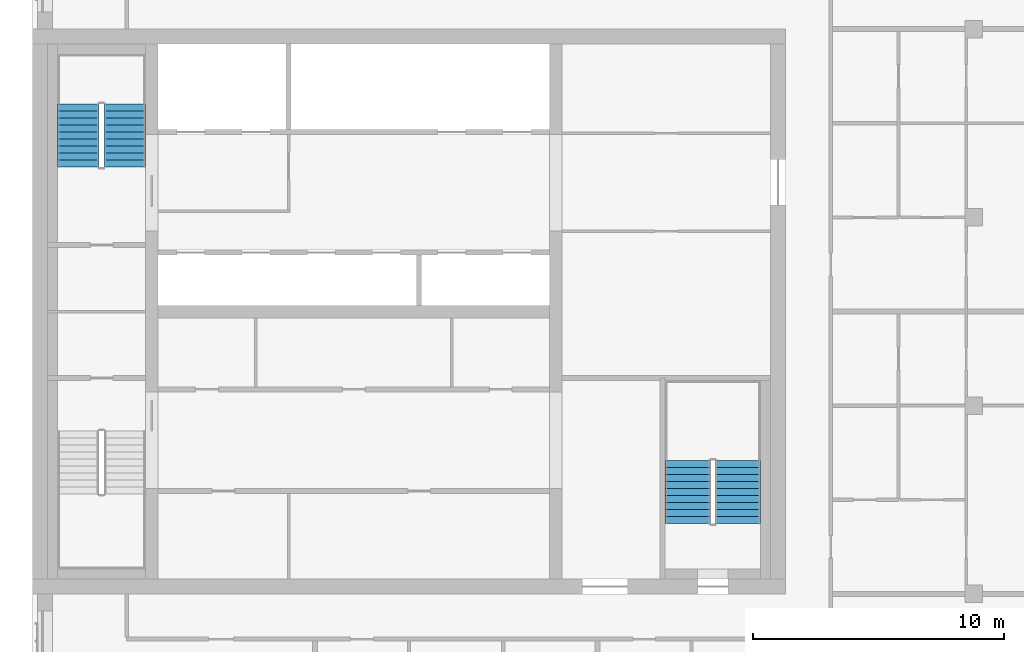
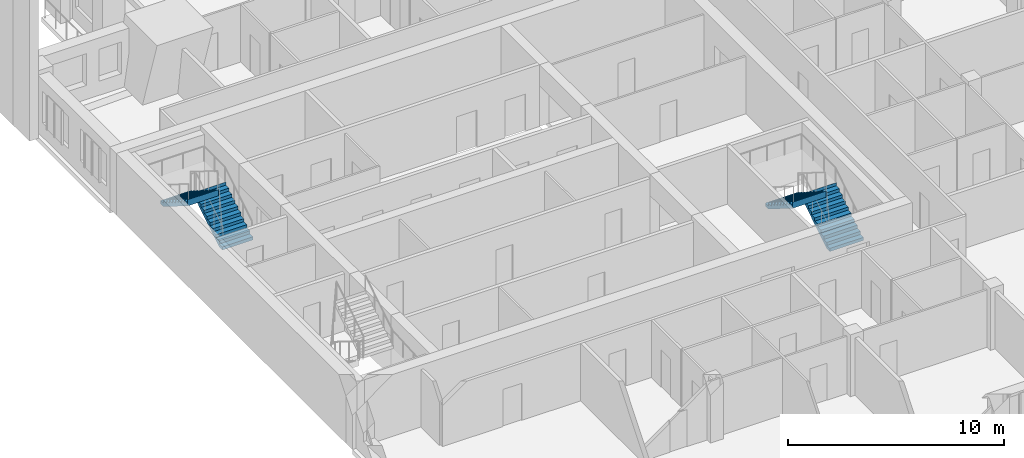
# One storey, part 9 of 12: 4 stair flights, 2 elements without a shape of their own.
"""IFC4 building model written with IfcOpenShell, lengths in metres."""

from ifc_helpers import new_model, si_unit, direction, frame, origin, place, context, subcontext, project, spatial, polyline, outline, extrude, material, type_object, element, aggregate, save


model = new_model("IFC4")

# Units and contexts
model_context = context("Model", 3, precision=1e-05, world=origin(), true_north=direction((0.0, 1.0)))
body_context = subcontext(model_context, "Body", "Model", "MODEL_VIEW")
ifc_project = project(units=[si_unit("LENGTHUNIT", "METRE"), si_unit("AREAUNIT", "SQUARE_METRE"), si_unit("VOLUMEUNIT", "CUBIC_METRE"), si_unit("PLANEANGLEUNIT", "RADIAN"), si_unit("MASSUNIT", "GRAM", prefix="KILO")], contexts=[model_context])

# Site, building, storey
site_placement = place(None, origin())
site = spatial("IfcSite", under=ifc_project, at=site_placement, CompositionType="ELEMENT")
building_placement = place(site_placement, origin())
building = spatial("IfcBuilding", under=site, at=building_placement, Name="Tamorin Gate", CompositionType="ELEMENT")
storey_placement = place(building_placement, frame((0.0, 0.0, 266.199951171875)))
storey = spatial("IfcBuildingStorey", under=building, at=storey_placement, Name="L66", CompositionType="ELEMENT", Elevation=266.199951171875)

# Stair, stair flights
ifc_material = material(Name="Concrete C40/50", Category="concrete")
stair_type = type_object("IfcStairType", Name="Exit stair", PredefinedType="HALF_TURN_STAIR", material=ifc_material)
stair_1_placement = place(storey_placement, origin())
stair_1 = element("IfcStair", 1, at=stair_1_placement, inside=storey, type_object=stair_type, Name="L66 stair ST2", PredefinedType="HALF_TURN_STAIR")
stair_flight_type = type_object("IfcStairFlightType", Name="Exit stair flight", PredefinedType="STRAIGHT", material=ifc_material)
stair_flight_1_placement = place(storey_placement, frame((33.675048828125, 77.0, 0.0), z_axis=(0.0, 0.0, 1.0), x_axis=(0.0, 1.0, 0.0)))
stair_flight_1 = element("IfcStairFlight", 2, at=stair_flight_1_placement, type_object=stair_flight_type, Name="ST2 flight 1", NumberOfRisers=10, NumberOfTreads=9, PredefinedType="STRAIGHT", RiserHeight=0.175, TreadLength=0.28, context=body_context, shape_type="SweptSolid", body=[
    extrude(outline(polyline([(-0.00048828125, 0.0), (-0.00048828125, 0.001708984375), (-0.00048828125, 0.00341796875), (-0.00048828125, 0.005126953125), (-0.00048828125, 0.0068359375), (-0.00048828125, 0.008544921875), (-0.00048828125, 0.010498046875), (-0.00048828125, 0.01220703125), (-0.00048828125, 0.013916015625), (-0.00048828125, 0.015625), (-0.00048828125, 0.017333984375), (-0.00048828125, 0.01904296875), (-0.00048828125, 0.020751953125), (-0.00048828125, 0.0224609375), (-0.00048828125, 0.024169921875), (-0.00048828125, 0.02587890625), (-0.00048828125, 0.02783203125), (-0.00048828125, 0.029541015625), (-0.00048828125, 0.03125), (-0.00048828125, 0.032958984375), (-0.00048828125, 0.03466796875), (-0.00048828125, 0.036376953125), (-0.00048828125, 0.0380859375), (-0.00048828125, 0.039794921875), (-0.00048828125, 0.04150390625), (-0.00048828125, 0.043212890625), (-0.00048828125, 0.045166015625), (-0.00048828125, 0.046875), (-0.00048828125, 0.048583984375), (-0.00048828125, 0.05029296875), (-0.00048828125, 0.052001953125), (-0.00048828125, 0.0537109375), (-0.00048828125, 0.055419921875), (-0.00048828125, 0.05712890625), (-0.00048828125, 0.058837890625), (-0.00048828125, 0.060546875), (-0.00048828125, 0.062255859375), (-0.00048828125, 0.064208984375), (-0.00048828125, 0.06591796875), (-0.00048828125, 0.067626953125), (-0.00048828125, 0.0693359375), (-0.00048828125, 0.071044921875), (-0.00048828125, 0.07275390625), (-0.00048828125, 0.074462890625), (-0.00048828125, 0.076171875), (-0.00048828125, 0.077880859375), (-0.00048828125, 0.07958984375), (-0.00048828125, 0.08154296875), (-0.00048828125, 0.083251953125), (-0.00048828125, 0.0849609375), (-0.00048828125, 0.086669921875), (-0.00048828125, 0.08837890625), (-0.00048828125, 0.090087890625), (-0.00048828125, 0.091796875), (-0.00048828125, 0.093505859375), (-0.00048828125, 0.09521484375), (-0.00048828125, 0.096923828125), (-0.00048828125, 0.098876953125), (-0.00048828125, 0.1005859375), (-0.00048828125, 0.102294921875), (-0.00048828125, 0.10400390625), (-0.00048828125, 0.105712890625), (-0.00048828125, 0.107421875), (-0.00048828125, 0.109130859375), (-0.00048828125, 0.11083984375), (-0.00048828125, 0.112548828125), (-0.00048828125, 0.1142578125), (-0.00048828125, 0.1162109375), (-0.00048828125, 0.117919921875), (-0.00048828125, 0.11962890625), (-0.00048828125, 0.121337890625), (-0.00048828125, 0.123046875), (-0.00048828125, 0.124755859375), (-0.00048828125, 0.12646484375), (-0.00048828125, 0.128173828125), (-0.00048828125, 0.1298828125), (-0.00048828125, 0.131591796875), (-0.00048828125, 0.13330078125), (-0.00048828125, 0.13525390625), (-0.00048828125, 0.136962890625), (-0.00048828125, 0.138671875), (-0.00048828125, 0.140380859375), (-0.00048828125, 0.14208984375), (-0.00048828125, 0.143798828125), (-0.00048828125, 0.1455078125), (-0.00048828125, 0.147216796875), (-0.00048828125, 0.14892578125), (-0.00048828125, 0.150634765625), (-0.00048828125, 0.152587890625), (-0.00048828125, 0.154296875), (-0.00048828125, 0.156005859375), (-0.00048828125, 0.15771484375), (-0.00048828125, 0.159423828125), (-0.00048828125, 0.1611328125), (-0.00048828125, 0.162841796875), (-0.00048828125, 0.16455078125), (-0.00048828125, 0.166259765625), (-0.00048828125, 0.16796875), (-0.00048828125, 0.169921875), (-0.00048828125, 0.171630859375), (-0.00048828125, 0.17333984375), (-0.00048828125, 0.175048828125), (0.280029296875, 0.175048828125), (0.280029296875, 0.35009765625), (0.56005859375, 0.35009765625), (0.56005859375, 0.52490234375), (0.840087890625, 0.52490234375), (0.840087890625, 0.699951171875), (1.1201171875, 0.699951171875), (1.1201171875, 0.875), (1.39990234375, 0.875), (1.39990234375, 1.050048828125), (1.679931640625, 1.050048828125), (1.679931640625, 1.22509765625), (1.9599609375, 1.22509765625), (1.9599609375, 1.39990234375), (2.239990234375, 1.39990234375), (2.239990234375, 1.574951171875), (2.52001953125, 1.574951171875), (2.52001953125, 1.75), (2.5205078125, 1.75), (2.5205078125, 1.74658203125), (2.5205078125, 1.742919921875), (2.5205078125, 1.739501953125), (2.5205078125, 1.736083984375), (2.5205078125, 1.732666015625), (2.5205078125, 1.72900390625), (2.5205078125, 1.7255859375), (2.5205078125, 1.72216796875), (2.5205078125, 1.71875), (2.5205078125, 1.715087890625), (2.5205078125, 1.711669921875), (2.5205078125, 1.708251953125), (2.5205078125, 1.704833984375), (2.5205078125, 1.701171875), (2.5205078125, 1.69775390625), (2.5205078125, 1.6943359375), (2.5205078125, 1.690673828125), (2.5205078125, 1.687255859375), (2.5205078125, 1.683837890625), (2.5205078125, 1.680419921875), (2.5205078125, 1.6767578125), (2.5205078125, 1.67333984375), (2.5205078125, 1.669921875), (2.5205078125, 1.66650390625), (2.5205078125, 1.662841796875), (2.5205078125, 1.659423828125), (2.5205078125, 1.656005859375), (2.5205078125, 1.652587890625), (2.5205078125, 1.64892578125), (2.5205078125, 1.6455078125), (2.5205078125, 1.64208984375), (2.5205078125, 1.638427734375), (2.5205078125, 1.635009765625), (2.5205078125, 1.631591796875), (2.5205078125, 1.628173828125), (2.5205078125, 1.62451171875), (2.5205078125, 1.62109375), (2.5205078125, 1.61767578125), (2.5205078125, 1.6142578125), (2.5205078125, 1.610595703125), (2.5205078125, 1.607177734375), (2.5205078125, 1.603759765625), (2.5205078125, 1.600341796875), (2.5205078125, 1.5966796875), (2.5205078125, 1.59326171875), (2.5205078125, 1.58984375), (2.5205078125, 1.58642578125), (2.5205078125, 1.582763671875), (2.5205078125, 1.579345703125), (2.5205078125, 1.575927734375), (2.5205078125, 1.572265625), (2.5205078125, 1.56884765625), (2.5205078125, 1.5654296875), (2.5205078125, 1.56201171875), (2.5205078125, 1.558349609375), (2.5205078125, 1.554931640625), (2.5205078125, 1.551513671875), (2.5205078125, 1.548095703125), (2.5205078125, 1.54443359375), (2.5205078125, 1.541015625), (2.5205078125, 1.53759765625), (2.5205078125, 1.5341796875), (2.5205078125, 1.530517578125), (2.5205078125, 1.527099609375), (2.5205078125, 1.523681640625), (2.5205078125, 1.52001953125), (2.5205078125, 1.5166015625), (2.5205078125, 1.51318359375), (2.5205078125, 1.509765625), (2.5205078125, 1.506103515625), (2.5205078125, 1.502685546875), (2.5205078125, 1.499267578125), (2.5205078125, 1.495849609375), (2.5205078125, 1.4921875), (2.5205078125, 1.48876953125), (2.5205078125, 1.4853515625), (2.5205078125, 1.48193359375), (2.5205078125, 1.478271484375), (2.5205078125, 1.474853515625), (2.5205078125, 1.471435546875), (2.5205078125, 1.4677734375), (2.5205078125, 1.46435546875), (2.5205078125, 1.4609375), (2.5205078125, 1.45751953125), (2.5205078125, 1.453857421875), (2.5205078125, 1.450439453125), (2.5205078125, 1.447021484375), (2.5205078125, 1.443603515625), (2.5205078125, 1.43994140625), (2.5205078125, 1.4365234375), (2.5205078125, 1.43310546875), (2.5205078125, 1.4296875), (2.5205078125, 1.426025390625), (2.5205078125, 1.422607421875), (2.5205078125, 1.419189453125), (2.5205078125, 1.41552734375), (2.5205078125, 1.412109375), (2.5205078125, 1.40869140625), (2.5205078125, 1.4052734375), (2.5205078125, 1.401611328125), (2.5205078125, 1.398193359375), (2.52001953125, 1.398193359375), (0.28271484375, 0.0), (-0.00048828125, 0.0)])), frame((0.0, 0.824951171875, 0.0), z_axis=(0.0, -1.0, 0.0), x_axis=(1.0, 0.0, 0.0)), (0.0, 0.0, 1.0), 1.64990234375),
])
stair_flight_2_placement = place(storey_placement, frame((31.824951171875, 79.52001953125, 1.75), z_axis=(0.0, 0.0, 1.0), x_axis=(0.0, -1.0, 0.0)))
stair_flight_2 = element("IfcStairFlight", 3, at=stair_flight_2_placement, type_object=stair_flight_type, Name="ST2 flight 2", NumberOfRisers=10, NumberOfTreads=9, PredefinedType="STRAIGHT", RiserHeight=0.175, TreadLength=0.28, context=body_context, shape_type="SweptSolid", body=[
    extrude(outline(polyline([(-0.00048828125, 0.0), (-0.00048828125, 0.001708984375), (-0.00048828125, 0.00341796875), (-0.00048828125, 0.005126953125), (-0.00048828125, 0.0068359375), (-0.00048828125, 0.008544921875), (-0.00048828125, 0.010498046875), (-0.00048828125, 0.01220703125), (-0.00048828125, 0.013916015625), (-0.00048828125, 0.015625), (-0.00048828125, 0.017333984375), (-0.00048828125, 0.01904296875), (-0.00048828125, 0.020751953125), (-0.00048828125, 0.0224609375), (-0.00048828125, 0.024169921875), (-0.00048828125, 0.02587890625), (-0.00048828125, 0.02783203125), (-0.00048828125, 0.029541015625), (-0.00048828125, 0.03125), (-0.00048828125, 0.032958984375), (-0.00048828125, 0.03466796875), (-0.00048828125, 0.036376953125), (-0.00048828125, 0.0380859375), (-0.00048828125, 0.039794921875), (-0.00048828125, 0.04150390625), (-0.00048828125, 0.043212890625), (-0.00048828125, 0.045166015625), (-0.00048828125, 0.046875), (-0.00048828125, 0.048583984375), (-0.00048828125, 0.05029296875), (-0.00048828125, 0.052001953125), (-0.00048828125, 0.0537109375), (-0.00048828125, 0.055419921875), (-0.00048828125, 0.05712890625), (-0.00048828125, 0.058837890625), (-0.00048828125, 0.060546875), (-0.00048828125, 0.062255859375), (-0.00048828125, 0.064208984375), (-0.00048828125, 0.06591796875), (-0.00048828125, 0.067626953125), (-0.00048828125, 0.0693359375), (-0.00048828125, 0.071044921875), (-0.00048828125, 0.07275390625), (-0.00048828125, 0.074462890625), (-0.00048828125, 0.076171875), (-0.00048828125, 0.077880859375), (-0.00048828125, 0.07958984375), (-0.00048828125, 0.08154296875), (-0.00048828125, 0.083251953125), (-0.00048828125, 0.0849609375), (-0.00048828125, 0.086669921875), (-0.00048828125, 0.08837890625), (-0.00048828125, 0.090087890625), (-0.00048828125, 0.091796875), (-0.00048828125, 0.093505859375), (-0.00048828125, 0.09521484375), (-0.00048828125, 0.096923828125), (-0.00048828125, 0.098876953125), (-0.00048828125, 0.1005859375), (-0.00048828125, 0.102294921875), (-0.00048828125, 0.10400390625), (-0.00048828125, 0.105712890625), (-0.00048828125, 0.107421875), (-0.00048828125, 0.109130859375), (-0.00048828125, 0.11083984375), (-0.00048828125, 0.112548828125), (-0.00048828125, 0.1142578125), (-0.00048828125, 0.1162109375), (-0.00048828125, 0.117919921875), (-0.00048828125, 0.11962890625), (-0.00048828125, 0.121337890625), (-0.00048828125, 0.123046875), (-0.00048828125, 0.124755859375), (-0.00048828125, 0.12646484375), (-0.00048828125, 0.128173828125), (-0.00048828125, 0.1298828125), (-0.00048828125, 0.131591796875), (-0.00048828125, 0.13330078125), (-0.00048828125, 0.13525390625), (-0.00048828125, 0.136962890625), (-0.00048828125, 0.138671875), (-0.00048828125, 0.140380859375), (-0.00048828125, 0.14208984375), (-0.00048828125, 0.143798828125), (-0.00048828125, 0.1455078125), (-0.00048828125, 0.147216796875), (-0.00048828125, 0.14892578125), (-0.00048828125, 0.150634765625), (-0.00048828125, 0.152587890625), (-0.00048828125, 0.154296875), (-0.00048828125, 0.156005859375), (-0.00048828125, 0.15771484375), (-0.00048828125, 0.159423828125), (-0.00048828125, 0.1611328125), (-0.00048828125, 0.162841796875), (-0.00048828125, 0.16455078125), (-0.00048828125, 0.166259765625), (-0.00048828125, 0.16796875), (-0.00048828125, 0.169921875), (-0.00048828125, 0.171630859375), (-0.00048828125, 0.17333984375), (-0.00048828125, 0.175048828125), (0.280029296875, 0.175048828125), (0.280029296875, 0.35009765625), (0.56005859375, 0.35009765625), (0.56005859375, 0.52490234375), (0.840087890625, 0.52490234375), (0.840087890625, 0.699951171875), (1.1201171875, 0.699951171875), (1.1201171875, 0.875), (1.39990234375, 0.875), (1.39990234375, 1.050048828125), (1.679931640625, 1.050048828125), (1.679931640625, 1.22509765625), (1.9599609375, 1.22509765625), (1.9599609375, 1.39990234375), (2.239990234375, 1.39990234375), (2.239990234375, 1.574951171875), (2.52001953125, 1.574951171875), (2.52001953125, 1.75), (2.5205078125, 1.75), (2.5205078125, 1.74658203125), (2.5205078125, 1.742919921875), (2.5205078125, 1.739501953125), (2.5205078125, 1.736083984375), (2.5205078125, 1.732666015625), (2.5205078125, 1.72900390625), (2.5205078125, 1.7255859375), (2.5205078125, 1.72216796875), (2.5205078125, 1.71875), (2.5205078125, 1.715087890625), (2.5205078125, 1.711669921875), (2.5205078125, 1.708251953125), (2.5205078125, 1.704833984375), (2.5205078125, 1.701171875), (2.5205078125, 1.69775390625), (2.5205078125, 1.6943359375), (2.5205078125, 1.690673828125), (2.5205078125, 1.687255859375), (2.5205078125, 1.683837890625), (2.5205078125, 1.680419921875), (2.5205078125, 1.6767578125), (2.5205078125, 1.67333984375), (2.5205078125, 1.669921875), (2.5205078125, 1.66650390625), (2.5205078125, 1.662841796875), (2.5205078125, 1.659423828125), (2.5205078125, 1.656005859375), (2.5205078125, 1.652587890625), (2.5205078125, 1.64892578125), (2.5205078125, 1.6455078125), (2.5205078125, 1.64208984375), (2.5205078125, 1.638427734375), (2.5205078125, 1.635009765625), (2.5205078125, 1.631591796875), (2.5205078125, 1.628173828125), (2.5205078125, 1.62451171875), (2.5205078125, 1.62109375), (2.5205078125, 1.61767578125), (2.5205078125, 1.6142578125), (2.5205078125, 1.610595703125), (2.5205078125, 1.607177734375), (2.5205078125, 1.603759765625), (2.5205078125, 1.600341796875), (2.5205078125, 1.5966796875), (2.5205078125, 1.59326171875), (2.5205078125, 1.58984375), (2.5205078125, 1.58642578125), (2.5205078125, 1.582763671875), (2.5205078125, 1.579345703125), (2.5205078125, 1.575927734375), (2.5205078125, 1.572265625), (2.5205078125, 1.56884765625), (2.5205078125, 1.5654296875), (2.5205078125, 1.56201171875), (2.5205078125, 1.558349609375), (2.5205078125, 1.554931640625), (2.5205078125, 1.551513671875), (2.5205078125, 1.548095703125), (2.5205078125, 1.54443359375), (2.5205078125, 1.541015625), (2.5205078125, 1.53759765625), (2.5205078125, 1.5341796875), (2.5205078125, 1.530517578125), (2.5205078125, 1.527099609375), (2.5205078125, 1.523681640625), (2.5205078125, 1.52001953125), (2.5205078125, 1.5166015625), (2.5205078125, 1.51318359375), (2.5205078125, 1.509765625), (2.5205078125, 1.506103515625), (2.5205078125, 1.502685546875), (2.5205078125, 1.499267578125), (2.5205078125, 1.495849609375), (2.5205078125, 1.4921875), (2.5205078125, 1.48876953125), (2.5205078125, 1.4853515625), (2.5205078125, 1.48193359375), (2.5205078125, 1.478271484375), (2.5205078125, 1.474853515625), (2.5205078125, 1.471435546875), (2.5205078125, 1.4677734375), (2.5205078125, 1.46435546875), (2.5205078125, 1.4609375), (2.5205078125, 1.45751953125), (2.5205078125, 1.453857421875), (2.5205078125, 1.450439453125), (2.5205078125, 1.447021484375), (2.5205078125, 1.443603515625), (2.5205078125, 1.43994140625), (2.5205078125, 1.4365234375), (2.5205078125, 1.43310546875), (2.5205078125, 1.4296875), (2.5205078125, 1.426025390625), (2.5205078125, 1.422607421875), (2.5205078125, 1.419189453125), (2.5205078125, 1.41552734375), (2.5205078125, 1.412109375), (2.5205078125, 1.40869140625), (2.5205078125, 1.4052734375), (2.5205078125, 1.401611328125), (2.5205078125, 1.398193359375), (2.52001953125, 1.398193359375), (0.28271484375, 0.0), (-0.00048828125, 0.0)])), frame((0.0, 0.824951171875, 0.0), z_axis=(0.0, -1.0, 0.0), x_axis=(1.0, 0.0, 0.0)), (0.0, 0.0, 1.0), 1.64990234375),
])
aggregate(stair_1, [stair_flight_1, stair_flight_2])

stair_2_placement = place(storey_placement, origin())
stair_2 = element("IfcStair", 4, at=stair_2_placement, inside=storey, type_object=stair_type, Name="L66 stair ST3", PredefinedType="HALF_TURN_STAIR")
stair_flight_3_placement = place(storey_placement, frame((58.10009765625, 62.800048828125, 0.0), z_axis=(0.0, 0.0, 1.0), x_axis=(0.0, 1.0, 0.0)))
stair_flight_3 = element("IfcStairFlight", 5, at=stair_flight_3_placement, type_object=stair_flight_type, Name="ST3 flight 1", NumberOfRisers=10, NumberOfTreads=9, PredefinedType="STRAIGHT", RiserHeight=0.175, TreadLength=0.28, context=body_context, shape_type="SweptSolid", body=[
    extrude(outline(polyline([(-0.00048828125, 0.0), (-0.00048828125, 0.001708984375), (-0.00048828125, 0.00341796875), (-0.00048828125, 0.005126953125), (-0.00048828125, 0.0068359375), (-0.00048828125, 0.008544921875), (-0.00048828125, 0.010498046875), (-0.00048828125, 0.01220703125), (-0.00048828125, 0.013916015625), (-0.00048828125, 0.015625), (-0.00048828125, 0.017333984375), (-0.00048828125, 0.01904296875), (-0.00048828125, 0.020751953125), (-0.00048828125, 0.0224609375), (-0.00048828125, 0.024169921875), (-0.00048828125, 0.02587890625), (-0.00048828125, 0.02783203125), (-0.00048828125, 0.029541015625), (-0.00048828125, 0.03125), (-0.00048828125, 0.032958984375), (-0.00048828125, 0.03466796875), (-0.00048828125, 0.036376953125), (-0.00048828125, 0.0380859375), (-0.00048828125, 0.039794921875), (-0.00048828125, 0.04150390625), (-0.00048828125, 0.043212890625), (-0.00048828125, 0.045166015625), (-0.00048828125, 0.046875), (-0.00048828125, 0.048583984375), (-0.00048828125, 0.05029296875), (-0.00048828125, 0.052001953125), (-0.00048828125, 0.0537109375), (-0.00048828125, 0.055419921875), (-0.00048828125, 0.05712890625), (-0.00048828125, 0.058837890625), (-0.00048828125, 0.060546875), (-0.00048828125, 0.062255859375), (-0.00048828125, 0.064208984375), (-0.00048828125, 0.06591796875), (-0.00048828125, 0.067626953125), (-0.00048828125, 0.0693359375), (-0.00048828125, 0.071044921875), (-0.00048828125, 0.07275390625), (-0.00048828125, 0.074462890625), (-0.00048828125, 0.076171875), (-0.00048828125, 0.077880859375), (-0.00048828125, 0.07958984375), (-0.00048828125, 0.08154296875), (-0.00048828125, 0.083251953125), (-0.00048828125, 0.0849609375), (-0.00048828125, 0.086669921875), (-0.00048828125, 0.08837890625), (-0.00048828125, 0.090087890625), (-0.00048828125, 0.091796875), (-0.00048828125, 0.093505859375), (-0.00048828125, 0.09521484375), (-0.00048828125, 0.096923828125), (-0.00048828125, 0.098876953125), (-0.00048828125, 0.1005859375), (-0.00048828125, 0.102294921875), (-0.00048828125, 0.10400390625), (-0.00048828125, 0.105712890625), (-0.00048828125, 0.107421875), (-0.00048828125, 0.109130859375), (-0.00048828125, 0.11083984375), (-0.00048828125, 0.112548828125), (-0.00048828125, 0.1142578125), (-0.00048828125, 0.1162109375), (-0.00048828125, 0.117919921875), (-0.00048828125, 0.11962890625), (-0.00048828125, 0.121337890625), (-0.00048828125, 0.123046875), (-0.00048828125, 0.124755859375), (-0.00048828125, 0.12646484375), (-0.00048828125, 0.128173828125), (-0.00048828125, 0.1298828125), (-0.00048828125, 0.131591796875), (-0.00048828125, 0.13330078125), (-0.00048828125, 0.13525390625), (-0.00048828125, 0.136962890625), (-0.00048828125, 0.138671875), (-0.00048828125, 0.140380859375), (-0.00048828125, 0.14208984375), (-0.00048828125, 0.143798828125), (-0.00048828125, 0.1455078125), (-0.00048828125, 0.147216796875), (-0.00048828125, 0.14892578125), (-0.00048828125, 0.150634765625), (-0.00048828125, 0.152587890625), (-0.00048828125, 0.154296875), (-0.00048828125, 0.156005859375), (-0.00048828125, 0.15771484375), (-0.00048828125, 0.159423828125), (-0.00048828125, 0.1611328125), (-0.00048828125, 0.162841796875), (-0.00048828125, 0.16455078125), (-0.00048828125, 0.166259765625), (-0.00048828125, 0.16796875), (-0.00048828125, 0.169921875), (-0.00048828125, 0.171630859375), (-0.00048828125, 0.17333984375), (-0.00048828125, 0.175048828125), (0.280029296875, 0.175048828125), (0.280029296875, 0.35009765625), (0.56005859375, 0.35009765625), (0.56005859375, 0.52490234375), (0.840087890625, 0.52490234375), (0.840087890625, 0.699951171875), (1.1201171875, 0.699951171875), (1.1201171875, 0.875), (1.39990234375, 0.875), (1.39990234375, 1.050048828125), (1.679931640625, 1.050048828125), (1.679931640625, 1.22509765625), (1.9599609375, 1.22509765625), (1.9599609375, 1.39990234375), (2.239990234375, 1.39990234375), (2.239990234375, 1.574951171875), (2.52001953125, 1.574951171875), (2.52001953125, 1.75), (2.5205078125, 1.75), (2.5205078125, 1.74658203125), (2.5205078125, 1.742919921875), (2.5205078125, 1.739501953125), (2.5205078125, 1.736083984375), (2.5205078125, 1.732666015625), (2.5205078125, 1.72900390625), (2.5205078125, 1.7255859375), (2.5205078125, 1.72216796875), (2.5205078125, 1.71875), (2.5205078125, 1.715087890625), (2.5205078125, 1.711669921875), (2.5205078125, 1.708251953125), (2.5205078125, 1.704833984375), (2.5205078125, 1.701171875), (2.5205078125, 1.69775390625), (2.5205078125, 1.6943359375), (2.5205078125, 1.690673828125), (2.5205078125, 1.687255859375), (2.5205078125, 1.683837890625), (2.5205078125, 1.680419921875), (2.5205078125, 1.6767578125), (2.5205078125, 1.67333984375), (2.5205078125, 1.669921875), (2.5205078125, 1.66650390625), (2.5205078125, 1.662841796875), (2.5205078125, 1.659423828125), (2.5205078125, 1.656005859375), (2.5205078125, 1.652587890625), (2.5205078125, 1.64892578125), (2.5205078125, 1.6455078125), (2.5205078125, 1.64208984375), (2.5205078125, 1.638427734375), (2.5205078125, 1.635009765625), (2.5205078125, 1.631591796875), (2.5205078125, 1.628173828125), (2.5205078125, 1.62451171875), (2.5205078125, 1.62109375), (2.5205078125, 1.61767578125), (2.5205078125, 1.6142578125), (2.5205078125, 1.610595703125), (2.5205078125, 1.607177734375), (2.5205078125, 1.603759765625), (2.5205078125, 1.600341796875), (2.5205078125, 1.5966796875), (2.5205078125, 1.59326171875), (2.5205078125, 1.58984375), (2.5205078125, 1.58642578125), (2.5205078125, 1.582763671875), (2.5205078125, 1.579345703125), (2.5205078125, 1.575927734375), (2.5205078125, 1.572265625), (2.5205078125, 1.56884765625), (2.5205078125, 1.5654296875), (2.5205078125, 1.56201171875), (2.5205078125, 1.558349609375), (2.5205078125, 1.554931640625), (2.5205078125, 1.551513671875), (2.5205078125, 1.548095703125), (2.5205078125, 1.54443359375), (2.5205078125, 1.541015625), (2.5205078125, 1.53759765625), (2.5205078125, 1.5341796875), (2.5205078125, 1.530517578125), (2.5205078125, 1.527099609375), (2.5205078125, 1.523681640625), (2.5205078125, 1.52001953125), (2.5205078125, 1.5166015625), (2.5205078125, 1.51318359375), (2.5205078125, 1.509765625), (2.5205078125, 1.506103515625), (2.5205078125, 1.502685546875), (2.5205078125, 1.499267578125), (2.5205078125, 1.495849609375), (2.5205078125, 1.4921875), (2.5205078125, 1.48876953125), (2.5205078125, 1.4853515625), (2.5205078125, 1.48193359375), (2.5205078125, 1.478271484375), (2.5205078125, 1.474853515625), (2.5205078125, 1.471435546875), (2.5205078125, 1.4677734375), (2.5205078125, 1.46435546875), (2.5205078125, 1.4609375), (2.5205078125, 1.45751953125), (2.5205078125, 1.453857421875), (2.5205078125, 1.450439453125), (2.5205078125, 1.447021484375), (2.5205078125, 1.443603515625), (2.5205078125, 1.43994140625), (2.5205078125, 1.4365234375), (2.5205078125, 1.43310546875), (2.5205078125, 1.4296875), (2.5205078125, 1.426025390625), (2.5205078125, 1.422607421875), (2.5205078125, 1.419189453125), (2.5205078125, 1.41552734375), (2.5205078125, 1.412109375), (2.5205078125, 1.40869140625), (2.5205078125, 1.4052734375), (2.5205078125, 1.401611328125), (2.5205078125, 1.398193359375), (2.52001953125, 1.398193359375), (0.28271484375, 0.0), (-0.00048828125, 0.0)])), frame((0.0, 0.89990234375, 0.0), z_axis=(0.0, -1.0, 0.0), x_axis=(1.0, 0.0, 0.0)), (0.0, 0.0, 1.0), 1.800048828125),
])
stair_flight_4_placement = place(storey_placement, frame((56.10009765625, 65.320068359375, 1.75), z_axis=(0.0, 0.0, 1.0), x_axis=(0.0, -1.0, 0.0)))
stair_flight_4 = element("IfcStairFlight", 6, at=stair_flight_4_placement, type_object=stair_flight_type, Name="ST3 flight 2", NumberOfRisers=10, NumberOfTreads=9, PredefinedType="STRAIGHT", RiserHeight=0.175, TreadLength=0.28, context=body_context, shape_type="SweptSolid", body=[
    extrude(outline(polyline([(-0.00048828125, 0.0), (-0.00048828125, 0.001708984375), (-0.00048828125, 0.00341796875), (-0.00048828125, 0.005126953125), (-0.00048828125, 0.0068359375), (-0.00048828125, 0.008544921875), (-0.00048828125, 0.010498046875), (-0.00048828125, 0.01220703125), (-0.00048828125, 0.013916015625), (-0.00048828125, 0.015625), (-0.00048828125, 0.017333984375), (-0.00048828125, 0.01904296875), (-0.00048828125, 0.020751953125), (-0.00048828125, 0.0224609375), (-0.00048828125, 0.024169921875), (-0.00048828125, 0.02587890625), (-0.00048828125, 0.02783203125), (-0.00048828125, 0.029541015625), (-0.00048828125, 0.03125), (-0.00048828125, 0.032958984375), (-0.00048828125, 0.03466796875), (-0.00048828125, 0.036376953125), (-0.00048828125, 0.0380859375), (-0.00048828125, 0.039794921875), (-0.00048828125, 0.04150390625), (-0.00048828125, 0.043212890625), (-0.00048828125, 0.045166015625), (-0.00048828125, 0.046875), (-0.00048828125, 0.048583984375), (-0.00048828125, 0.05029296875), (-0.00048828125, 0.052001953125), (-0.00048828125, 0.0537109375), (-0.00048828125, 0.055419921875), (-0.00048828125, 0.05712890625), (-0.00048828125, 0.058837890625), (-0.00048828125, 0.060546875), (-0.00048828125, 0.062255859375), (-0.00048828125, 0.064208984375), (-0.00048828125, 0.06591796875), (-0.00048828125, 0.067626953125), (-0.00048828125, 0.0693359375), (-0.00048828125, 0.071044921875), (-0.00048828125, 0.07275390625), (-0.00048828125, 0.074462890625), (-0.00048828125, 0.076171875), (-0.00048828125, 0.077880859375), (-0.00048828125, 0.07958984375), (-0.00048828125, 0.08154296875), (-0.00048828125, 0.083251953125), (-0.00048828125, 0.0849609375), (-0.00048828125, 0.086669921875), (-0.00048828125, 0.08837890625), (-0.00048828125, 0.090087890625), (-0.00048828125, 0.091796875), (-0.00048828125, 0.093505859375), (-0.00048828125, 0.09521484375), (-0.00048828125, 0.096923828125), (-0.00048828125, 0.098876953125), (-0.00048828125, 0.1005859375), (-0.00048828125, 0.102294921875), (-0.00048828125, 0.10400390625), (-0.00048828125, 0.105712890625), (-0.00048828125, 0.107421875), (-0.00048828125, 0.109130859375), (-0.00048828125, 0.11083984375), (-0.00048828125, 0.112548828125), (-0.00048828125, 0.1142578125), (-0.00048828125, 0.1162109375), (-0.00048828125, 0.117919921875), (-0.00048828125, 0.11962890625), (-0.00048828125, 0.121337890625), (-0.00048828125, 0.123046875), (-0.00048828125, 0.124755859375), (-0.00048828125, 0.12646484375), (-0.00048828125, 0.128173828125), (-0.00048828125, 0.1298828125), (-0.00048828125, 0.131591796875), (-0.00048828125, 0.13330078125), (-0.00048828125, 0.13525390625), (-0.00048828125, 0.136962890625), (-0.00048828125, 0.138671875), (-0.00048828125, 0.140380859375), (-0.00048828125, 0.14208984375), (-0.00048828125, 0.143798828125), (-0.00048828125, 0.1455078125), (-0.00048828125, 0.147216796875), (-0.00048828125, 0.14892578125), (-0.00048828125, 0.150634765625), (-0.00048828125, 0.152587890625), (-0.00048828125, 0.154296875), (-0.00048828125, 0.156005859375), (-0.00048828125, 0.15771484375), (-0.00048828125, 0.159423828125), (-0.00048828125, 0.1611328125), (-0.00048828125, 0.162841796875), (-0.00048828125, 0.16455078125), (-0.00048828125, 0.166259765625), (-0.00048828125, 0.16796875), (-0.00048828125, 0.169921875), (-0.00048828125, 0.171630859375), (-0.00048828125, 0.17333984375), (-0.00048828125, 0.175048828125), (0.280029296875, 0.175048828125), (0.280029296875, 0.35009765625), (0.56005859375, 0.35009765625), (0.56005859375, 0.52490234375), (0.840087890625, 0.52490234375), (0.840087890625, 0.699951171875), (1.1201171875, 0.699951171875), (1.1201171875, 0.875), (1.39990234375, 0.875), (1.39990234375, 1.050048828125), (1.679931640625, 1.050048828125), (1.679931640625, 1.22509765625), (1.9599609375, 1.22509765625), (1.9599609375, 1.39990234375), (2.239990234375, 1.39990234375), (2.239990234375, 1.574951171875), (2.52001953125, 1.574951171875), (2.52001953125, 1.75), (2.5205078125, 1.75), (2.5205078125, 1.74658203125), (2.5205078125, 1.742919921875), (2.5205078125, 1.739501953125), (2.5205078125, 1.736083984375), (2.5205078125, 1.732666015625), (2.5205078125, 1.72900390625), (2.5205078125, 1.7255859375), (2.5205078125, 1.72216796875), (2.5205078125, 1.71875), (2.5205078125, 1.715087890625), (2.5205078125, 1.711669921875), (2.5205078125, 1.708251953125), (2.5205078125, 1.704833984375), (2.5205078125, 1.701171875), (2.5205078125, 1.69775390625), (2.5205078125, 1.6943359375), (2.5205078125, 1.690673828125), (2.5205078125, 1.687255859375), (2.5205078125, 1.683837890625), (2.5205078125, 1.680419921875), (2.5205078125, 1.6767578125), (2.5205078125, 1.67333984375), (2.5205078125, 1.669921875), (2.5205078125, 1.66650390625), (2.5205078125, 1.662841796875), (2.5205078125, 1.659423828125), (2.5205078125, 1.656005859375), (2.5205078125, 1.652587890625), (2.5205078125, 1.64892578125), (2.5205078125, 1.6455078125), (2.5205078125, 1.64208984375), (2.5205078125, 1.638427734375), (2.5205078125, 1.635009765625), (2.5205078125, 1.631591796875), (2.5205078125, 1.628173828125), (2.5205078125, 1.62451171875), (2.5205078125, 1.62109375), (2.5205078125, 1.61767578125), (2.5205078125, 1.6142578125), (2.5205078125, 1.610595703125), (2.5205078125, 1.607177734375), (2.5205078125, 1.603759765625), (2.5205078125, 1.600341796875), (2.5205078125, 1.5966796875), (2.5205078125, 1.59326171875), (2.5205078125, 1.58984375), (2.5205078125, 1.58642578125), (2.5205078125, 1.582763671875), (2.5205078125, 1.579345703125), (2.5205078125, 1.575927734375), (2.5205078125, 1.572265625), (2.5205078125, 1.56884765625), (2.5205078125, 1.5654296875), (2.5205078125, 1.56201171875), (2.5205078125, 1.558349609375), (2.5205078125, 1.554931640625), (2.5205078125, 1.551513671875), (2.5205078125, 1.548095703125), (2.5205078125, 1.54443359375), (2.5205078125, 1.541015625), (2.5205078125, 1.53759765625), (2.5205078125, 1.5341796875), (2.5205078125, 1.530517578125), (2.5205078125, 1.527099609375), (2.5205078125, 1.523681640625), (2.5205078125, 1.52001953125), (2.5205078125, 1.5166015625), (2.5205078125, 1.51318359375), (2.5205078125, 1.509765625), (2.5205078125, 1.506103515625), (2.5205078125, 1.502685546875), (2.5205078125, 1.499267578125), (2.5205078125, 1.495849609375), (2.5205078125, 1.4921875), (2.5205078125, 1.48876953125), (2.5205078125, 1.4853515625), (2.5205078125, 1.48193359375), (2.5205078125, 1.478271484375), (2.5205078125, 1.474853515625), (2.5205078125, 1.471435546875), (2.5205078125, 1.4677734375), (2.5205078125, 1.46435546875), (2.5205078125, 1.4609375), (2.5205078125, 1.45751953125), (2.5205078125, 1.453857421875), (2.5205078125, 1.450439453125), (2.5205078125, 1.447021484375), (2.5205078125, 1.443603515625), (2.5205078125, 1.43994140625), (2.5205078125, 1.4365234375), (2.5205078125, 1.43310546875), (2.5205078125, 1.4296875), (2.5205078125, 1.426025390625), (2.5205078125, 1.422607421875), (2.5205078125, 1.419189453125), (2.5205078125, 1.41552734375), (2.5205078125, 1.412109375), (2.5205078125, 1.40869140625), (2.5205078125, 1.4052734375), (2.5205078125, 1.401611328125), (2.5205078125, 1.398193359375), (2.52001953125, 1.398193359375), (0.28271484375, 0.0), (-0.00048828125, 0.0)])), frame((0.0, 0.89990234375, 0.0), z_axis=(0.0, -1.0, 0.0), x_axis=(1.0, 0.0, 0.0)), (0.0, 0.0, 1.0), 1.800048828125),
])
aggregate(stair_2, [stair_flight_3, stair_flight_4])

save(model, "model.ifc")
